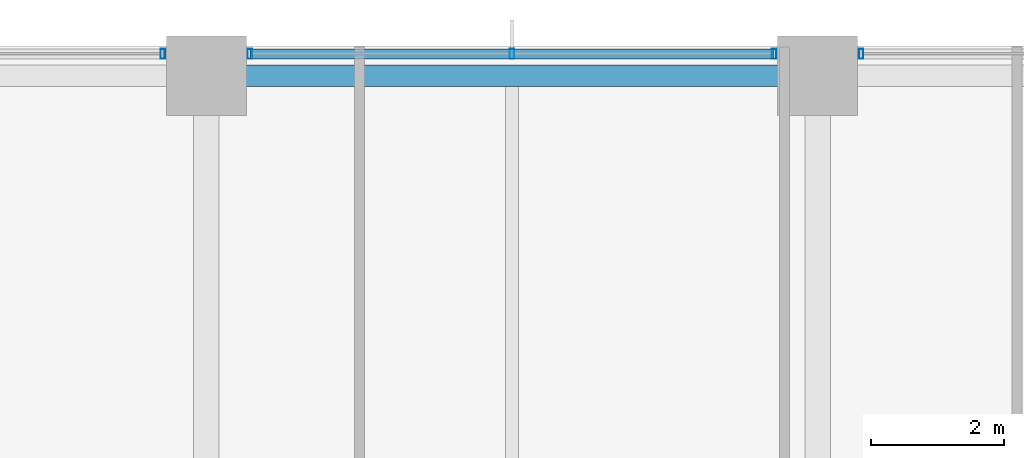
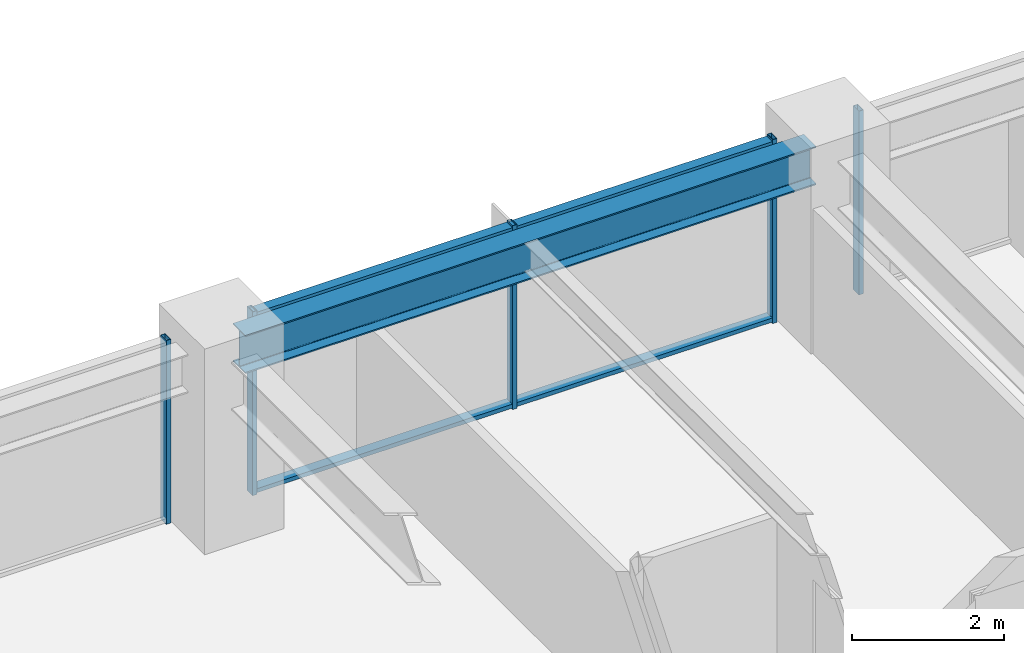
# One storey, part 23 of 38: 7 members, 1 beam, 3 elements without a shape of their own.
"""IFC4 building model written with IfcOpenShell, lengths in metres."""

from ifc_helpers import new_model, si_unit, direction, frame, origin, origin_2d, place, context, subcontext, project, spatial, hollow_rectangle, i_section, extrude, material, material_profile, profile_set, type_object, element, aggregate, save


model = new_model("IFC4")

# Units and contexts
model_context = context("Model", 3, precision=1e-05, world=origin(), true_north=direction((0.0, 1.0)))
body_context = subcontext(model_context, "Body", "Model", "MODEL_VIEW")
ifc_project = project(units=[si_unit("LENGTHUNIT", "METRE"), si_unit("AREAUNIT", "SQUARE_METRE"), si_unit("VOLUMEUNIT", "CUBIC_METRE"), si_unit("PLANEANGLEUNIT", "RADIAN"), si_unit("MASSUNIT", "GRAM", prefix="KILO")], contexts=[model_context])

# Site, building, storey
site_placement = place(None, origin())
site = spatial("IfcSite", under=ifc_project, at=site_placement, CompositionType="ELEMENT")
building_placement = place(site_placement, origin())
building = spatial("IfcBuilding", under=site, at=building_placement, Name="Kolvaren Belvedere", CompositionType="ELEMENT")
storey_placement = place(building_placement, frame((0.0, 0.0, 60.10009765625)))
storey = spatial("IfcBuildingStorey", under=building, at=storey_placement, Name="L17", CompositionType="ELEMENT", Elevation=60.10009765625)

# Beam
ifc_material_1 = material(Name="Structural steel ASTM A992 Grade 50", Category="steel")
ifc_material_profile_1 = material_profile(ifc_material_1, i_section(OverallWidth=0.324951171875, OverallDepth=0.615966796875, WebThickness=0.013916015625, FlangeThickness=0.021484375, FilletRadius=0.02001953125, at=origin_2d()), Name="W24X117")
ifc_profile_set_1 = profile_set([ifc_material_profile_1], Name="Structural steel ASTM A992 Grade 50")
beam_type = type_object("IfcBeamType", Name="BM-SPAN-W24X117", PredefinedType="SPANDREL", material=ifc_profile_set_1)
beam_placement = place(storey_placement, frame((4.330078125, 21.550048828125, 2.641845703125), z_axis=(-1.0, 0.0, 0.0), x_axis=(0.0, -1.0, 0.0)))
element("IfcBeam", 1, at=beam_placement, inside=storey, type_object=beam_type, Name="L17 Perimeter Spandrel N3-N2", PredefinedType="SPANDREL", context=body_context, shape_type="SweptSolid", body=[
    extrude(i_section(OverallWidth=0.324951171875, OverallDepth=0.615966796875, WebThickness=0.013916015625, FlangeThickness=0.021484375, FilletRadius=0.02001953125, at=origin_2d()), origin(), (0.0, 0.0, 1.0), 8.66015625),
])

# Curtain wall, member
ifc_material_2 = material(Name="Anodised pale-metal aluminium AA 6063-T6", Category="aluminium")
curtain_wall_type = type_object("IfcCurtainWallType", Name="CW-Z1-LOW", PredefinedType="NOTDEFINED", material=ifc_material_2)
curtain_wall_1_placement = place(storey_placement, origin())
curtain_wall_1 = element("IfcCurtainWall", 2, at=curtain_wall_1_placement, inside=storey, type_object=curtain_wall_type, Name="L17 Unitised Curtain Wall FCW-L17-N-B1", PredefinedType="NOTDEFINED")
ifc_material_3 = material(Name="Anodised pale-metal aluminium AA 6063-T6", Category="aluminium")
ifc_material_profile_2 = material_profile(ifc_material_3, hollow_rectangle(XDim=0.070068359375, YDim=0.14990234375, WallThickness=0.004150390625, at=origin_2d()), Name="ALU-MUL-150X70")
ifc_profile_set_2 = profile_set([ifc_material_profile_2], Name="Anodised pale-metal aluminium AA 6063-T6")
member_type_1 = type_object("IfcMemberType", Name="CW-MUL-150", PredefinedType="MULLION", material=ifc_profile_set_2)
member_1_placement = place(storey_placement, frame((-5.2548828125, 21.8798828125, 0.0), z_axis=(0.0, 0.0, 1.0), x_axis=(1.0, 0.0, 0.0)))
member_1 = element("IfcMember", 3, at=member_1_placement, type_object=member_type_1, Name="FCW-L17-N-B1 Unitised Mullion 3", PredefinedType="MULLION", context=body_context, shape_type="SweptSolid", body=[
    extrude(hollow_rectangle(XDim=0.070068359375, YDim=0.14990234375, WallThickness=0.004150390625, at=origin_2d()), origin(), (0.0, 0.0, 1.0), 2.949951171875),
])
aggregate(curtain_wall_1, [member_1])

# Curtain wall, members
curtain_wall_2_placement = place(storey_placement, origin())
curtain_wall_2 = element("IfcCurtainWall", 4, at=curtain_wall_2_placement, inside=storey, type_object=curtain_wall_type, Name="L17 Unitised Curtain Wall FCW-L17-N-B2", PredefinedType="NOTDEFINED")
member_2_placement = place(storey_placement, frame((-3.945068359375, 21.8798828125, 0.0), z_axis=(0.0, 0.0, 1.0), x_axis=(1.0, 0.0, 0.0)))
member_2 = element("IfcMember", 5, at=member_2_placement, type_object=member_type_1, Name="FCW-L17-N-B2 Unitised Mullion 1", PredefinedType="MULLION", context=body_context, shape_type="SweptSolid", body=[
    extrude(hollow_rectangle(XDim=0.070068359375, YDim=0.14990234375, WallThickness=0.004150390625, at=origin_2d()), origin(), (0.0, 0.0, 1.0), 2.949951171875),
])
member_3_placement = place(storey_placement, frame((0.0, 21.8798828125, 0.0), z_axis=(0.0, 0.0, 1.0), x_axis=(1.0, 0.0, 0.0)))
member_3 = element("IfcMember", 6, at=member_3_placement, type_object=member_type_1, Name="FCW-L17-N-B2 Unitised Mullion 2", PredefinedType="MULLION", context=body_context, shape_type="SweptSolid", body=[
    extrude(hollow_rectangle(XDim=0.070068359375, YDim=0.14990234375, WallThickness=0.004150390625, at=origin_2d()), origin(), (0.0, 0.0, 1.0), 2.949951171875),
])
member_4_placement = place(storey_placement, frame((3.945068359375, 21.8798828125, 0.0), z_axis=(0.0, 0.0, 1.0), x_axis=(1.0, 0.0, 0.0)))
member_4 = element("IfcMember", 7, at=member_4_placement, type_object=member_type_1, Name="FCW-L17-N-B2 Unitised Mullion 3", PredefinedType="MULLION", context=body_context, shape_type="SweptSolid", body=[
    extrude(hollow_rectangle(XDim=0.070068359375, YDim=0.14990234375, WallThickness=0.004150390625, at=origin_2d()), origin(), (0.0, 0.0, 1.0), 2.949951171875),
])

# Curtain wall, member
curtain_wall_3_placement = place(storey_placement, origin())
curtain_wall_3 = element("IfcCurtainWall", 8, at=curtain_wall_3_placement, inside=storey, type_object=curtain_wall_type, Name="L17 Unitised Curtain Wall FCW-L17-N-B3", PredefinedType="NOTDEFINED")
member_5_placement = place(storey_placement, frame((5.2548828125, 21.8798828125, 0.0), z_axis=(0.0, 0.0, 1.0), x_axis=(1.0, 0.0, 0.0)))
member_5 = element("IfcMember", 9, at=member_5_placement, type_object=member_type_1, Name="FCW-L17-N-B3 Unitised Mullion 1", PredefinedType="MULLION", context=body_context, shape_type="SweptSolid", body=[
    extrude(hollow_rectangle(XDim=0.070068359375, YDim=0.14990234375, WallThickness=0.004150390625, at=origin_2d()), origin(), (0.0, 0.0, 1.0), 2.949951171875),
])
aggregate(curtain_wall_3, [member_5])

# Member
ifc_material_4 = material(Name="Anodised pale-metal aluminium AA 6063-T6", Category="aluminium")
ifc_material_profile_3 = material_profile(ifc_material_4, hollow_rectangle(XDim=0.06494140625, YDim=0.14990234375, WallThickness=0.00390625, at=origin_2d()), Name="ALU-TRN-150X65")
ifc_profile_set_3 = profile_set([ifc_material_profile_3], Name="Anodised pale-metal aluminium AA 6063-T6")
member_type_2 = type_object("IfcMemberType", Name="CW-TRN-150", PredefinedType="USERDEFINED", material=ifc_profile_set_3)
member_6_placement = place(storey_placement, frame((-3.945068359375, 21.8798828125, 0.059814453125), z_axis=(1.0, 0.0, 0.0), x_axis=(0.0, 0.0, 1.0)))
member_6 = element("IfcMember", 10, at=member_6_placement, type_object=member_type_2, Name="FCW-L17-N-B2 Sill Transom", ObjectType="TRANSOM", PredefinedType="USERDEFINED", context=body_context, shape_type="SweptSolid", body=[
    extrude(hollow_rectangle(XDim=0.06494140625, YDim=0.14990234375, WallThickness=0.00390625, at=origin_2d()), origin(), (0.0, 0.0, 1.0), 7.89013671875),
])

member_7_placement = place(storey_placement, frame((-3.945068359375, 21.8798828125, 2.889892578125), z_axis=(1.0, 0.0, 0.0), x_axis=(0.0, 0.0, 1.0)))
member_7 = element("IfcMember", 11, at=member_7_placement, type_object=member_type_2, Name="FCW-L17-N-B2 Head Transom", ObjectType="TRANSOM", PredefinedType="USERDEFINED", context=body_context, shape_type="SweptSolid", body=[
    extrude(hollow_rectangle(XDim=0.06494140625, YDim=0.14990234375, WallThickness=0.00390625, at=origin_2d()), origin(), (0.0, 0.0, 1.0), 7.89013671875),
])

aggregate(curtain_wall_2, [member_2, member_3, member_4, member_6, member_7])

save(model, "model.ifc")
